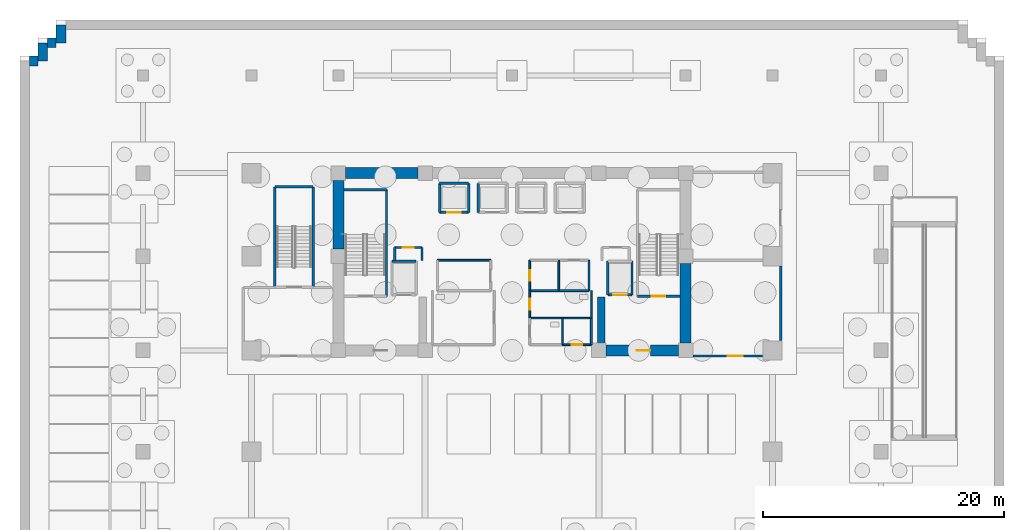
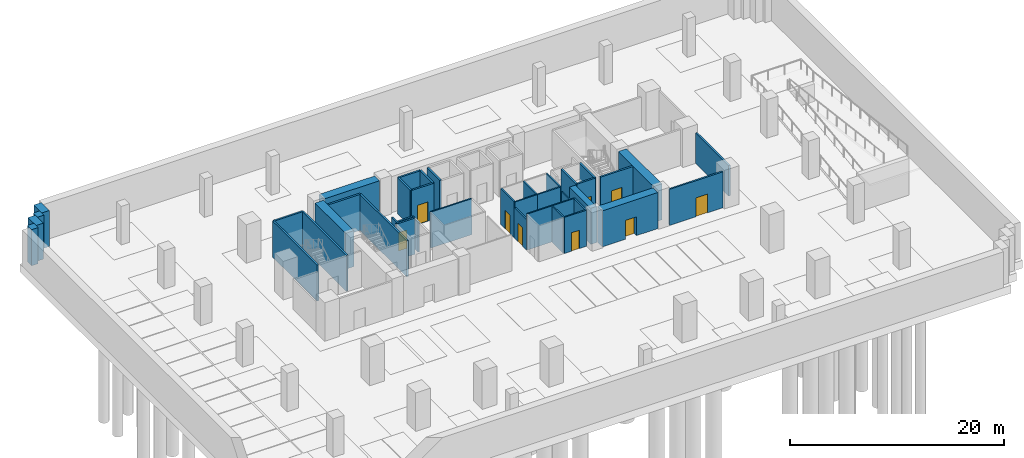
# One storey, part 4 of 13: 41 walls, 9 doors, 9 openings.
"""IFC4 building model written with IfcOpenShell, lengths in metres."""

from ifc_helpers import new_model, si_unit, direction, frame, frame_2d, origin, place, context, subcontext, project, spatial, rectangle, extrude, source, transform, mapped, material, layer, layer_set, type_object, element, fill, save


model = new_model("IFC4")

# Units and contexts
model_context = context("Model", 3, precision=1e-05, world=origin(), true_north=direction((0.0, 1.0)))
body_context = subcontext(model_context, "Body", "Model", "MODEL_VIEW")
ifc_project = project(units=[si_unit("LENGTHUNIT", "METRE"), si_unit("AREAUNIT", "SQUARE_METRE"), si_unit("VOLUMEUNIT", "CUBIC_METRE"), si_unit("PLANEANGLEUNIT", "RADIAN"), si_unit("MASSUNIT", "GRAM", prefix="KILO")], contexts=[model_context])

# Site, building, storey
site_placement = place(None, origin())
site = spatial("IfcSite", under=ifc_project, at=site_placement, CompositionType="ELEMENT")
building_placement = place(site_placement, origin())
building = spatial("IfcBuilding", under=site, at=building_placement, Name="Zarnakvel Exchange Tower", CompositionType="ELEMENT")
storey_placement = place(building_placement, frame((0.0, 0.0, -13.199951171875)))
storey = spatial("IfcBuildingStorey", under=building, at=storey_placement, Name="B03", CompositionType="ELEMENT", Elevation=-13.199951171875)

# Walls
ifc_material_1 = material(Name="Concrete C80/95", Category="concrete")
ifc_layer_1 = layer(ifc_material_1, 0.89990234375)
ifc_layer_set_1 = layer_set([ifc_layer_1], Name="Concrete C80/95")
wall_type_1 = type_object("IfcWallType", Name="CW-C1", PredefinedType="SHEAR", material=ifc_layer_set_1)
wall_1_placement = place(storey_placement, frame((-13.800048828125, 13.5, 0.0), z_axis=(0.0, 0.0, 1.0), x_axis=(1.0, 0.0, 0.0)))
element("IfcWall", 1, at=wall_1_placement, inside=storey, type_object=wall_type_1, Name="B03 Rear Core Shear Wall N1 (CW-C1)", PredefinedType="SHEAR", context=body_context, shape_type="SweptSolid", body=[
    extrude(rectangle(XDim=6.0, YDim=0.89990234375, at=frame_2d((3.0, 0.0))), origin(), (0.0, 0.0, 1.0), 4.119873046875),
])
wall_2_placement = place(storey_placement, frame((-14.39990234375, 7.199951171875, 0.0), z_axis=(0.0, 0.0, 1.0), x_axis=(0.0, 1.0, 0.0)))
element("IfcWall", 2, at=wall_2_placement, inside=storey, type_object=wall_type_1, Name="B03 Rear Core Shear Wall W2 (CW-C1)", PredefinedType="SHEAR", context=body_context, shape_type="SweptSolid", body=[
    extrude(rectangle(XDim=5.699951171875, YDim=0.89990234375, at=frame_2d((2.85009765625, 0.0))), origin(), (0.0, 0.0, 1.0), 4.119873046875),
])
wall_3_placement = place(storey_placement, frame((14.39990234375, -0.60009765625, 0.0), z_axis=(0.0, 0.0, 1.0), x_axis=(0.0, 1.0, 0.0)))
element("IfcWall", 3, at=wall_3_placement, inside=storey, type_object=wall_type_1, Name="B03 Rear Core Shear Wall E1 (CW-C1)", PredefinedType="SHEAR", context=body_context, shape_type="SweptSolid", body=[
    extrude(rectangle(XDim=6.60009765625, YDim=0.89990234375, at=frame_2d((3.300048828125, 0.0))), origin(), (0.0, 0.0, 1.0), 4.119873046875),
])

# Wall, opening, door
wall_4_placement = place(storey_placement, frame((13.800048828125, -1.199951171875, 0.0), z_axis=(0.0, 0.0, 1.0), x_axis=(-1.0, 0.0, 0.0)))
wall_4 = element("IfcWall", 4, at=wall_4_placement, inside=storey, type_object=wall_type_1, Name="B03 Rear Core Shear Wall SE (CW-C1)", PredefinedType="SHEAR", context=body_context, shape_type="SweptSolid", body=[
    extrude(rectangle(XDim=6.0, YDim=0.89990234375, at=frame_2d((3.0, 0.0))), origin(), (0.0, 0.0, 1.0), 4.119873046875),
])
opening_1_placement = place(wall_4_placement, frame((2.324951171875, 0.0, 0.0)))
opening_1 = element("IfcOpeningElement", 5, at=opening_1_placement, cuts=wall_4, Name="Opening D-B03-04", PredefinedType="OPENING", context=body_context, shape_type="SweptSolid", body=[
    extrude(rectangle(XDim=1.14990234375, YDim=2.14990234375, at=frame_2d((0.574951171875, 1.074951171875))), frame((0.0, 0.4599609375, 0.0), z_axis=(0.0, -1.0, 0.0), x_axis=(1.0, 0.0, 0.0)), (0.0, 0.0, 1.0), 0.919921875),
])
ifc_material_2 = material(Name="Painted Galvanised Steel S355", Category="steel")
door_type_1 = type_object("IfcDoorType", Name="DT-04", OperationType="NOTDEFINED", PredefinedType="DOOR", material=ifc_material_2)
shared_shape_1 = source(origin(), body_context, "Body", "SweptSolid", [
    extrude(rectangle(XDim=1.14990234375, YDim=2.14990234375, at=frame_2d((0.574951171875, 1.074951171875))), frame((0.0, 0.02490234375, 0.0), z_axis=(0.0, -1.0, 0.0), x_axis=(1.0, 0.0, 0.0)), (0.0, 0.0, 1.0), 0.050048828125),
])
door_1_placement = place(opening_1_placement, origin())
door_1 = element("IfcDoor", 6, at=door_1_placement, inside=storey, type_object=door_type_1, Name="B03 Firefighting Lobby East Door D-B03-04", OperationType="SINGLE_SWING_LEFT", OverallHeight=2.14990234375, OverallWidth=1.14990234375, PredefinedType="DOOR", context=body_context, shape_type="MappedRepresentation", body=[
    mapped(shared_shape_1, transform((0.0, 0.0, 0.0), x_axis=(1.0, 0.0, 0.0), y_axis=(0.0, 1.0, 0.0), z_axis=(0.0, 0.0, 1.0), scale=1.0)),
])
fill(opening_1, door_1)

# Walls
ifc_layer_2 = layer(ifc_material_1, 0.64990234375)
ifc_layer_set_2 = layer_set([ifc_layer_2], Name="Concrete C80/95")
wall_type_2 = type_object("IfcWallType", Name="CW-C2", PredefinedType="SHEAR", material=ifc_layer_set_2)
wall_5_placement = place(storey_placement, frame((7.39990234375, -0.75, 0.0), z_axis=(0.0, 0.0, 1.0), x_axis=(0.0, 1.0, 0.0)))
element("IfcWall", 7, at=wall_5_placement, inside=storey, type_object=wall_type_2, Name="B03 Rear Core Shear Wall IE (CW-C2)", PredefinedType="SHEAR", context=body_context, shape_type="SweptSolid", body=[
    extrude(rectangle(XDim=4.0, YDim=0.64990234375, at=frame_2d((2.0, 0.0))), origin(), (0.0, 0.0, 1.0), 4.119873046875),
])
ifc_material_3 = material(Name="Fire-Rated Gypsum Stud Partition", Category="gypsum")
ifc_layer_3 = layer(ifc_material_3, 0.14990234375)
ifc_layer_set_3 = layer_set([ifc_layer_3], Name="Fire-Rated Gypsum Stud Partition")
wall_type_3 = type_object("IfcWallType", Name="PT-01", PredefinedType="PARTITIONING", material=ifc_layer_set_3)
wall_6_placement = place(storey_placement, frame((-6.179931640625, 6.280029296875, 0.0), z_axis=(0.0, 0.0, 1.0), x_axis=(1.0, 0.0, 0.0)))
element("IfcWall", 8, at=wall_6_placement, inside=storey, type_object=wall_type_3, Name="B03 Partition Wall PWALL-B03-014 (PT-01)", PredefinedType="PARTITIONING", context=body_context, shape_type="SweptSolid", body=[
    extrude(rectangle(XDim=4.409912109375, YDim=0.14990234375, at=frame_2d((2.205078125, 0.0))), origin(), (0.0, 0.0, 1.0), 4.119873046875),
])
wall_7_placement = place(storey_placement, frame((3.8798828125, 3.760009765625, 0.0), z_axis=(0.0, 0.0, 1.0), x_axis=(-1.0, 0.0, 0.0)))
element("IfcWall", 9, at=wall_7_placement, inside=storey, type_object=wall_type_3, Name="B03 Partition Wall PWALL-B03-017 (PT-01)", PredefinedType="PARTITIONING", context=body_context, shape_type="SweptSolid", body=[
    extrude(rectangle(XDim=2.409912109375, YDim=0.14990234375, at=frame_2d((1.205078125, 0.0))), origin(), (0.0, 0.0, 1.0), 4.119873046875),
])

# Wall, opening, door
wall_8_placement = place(storey_placement, frame((1.469970703125, 3.760009765625, 0.0), z_axis=(0.0, 0.0, 1.0), x_axis=(0.0, 1.0, 0.0)))
wall_8 = element("IfcWall", 10, at=wall_8_placement, inside=storey, type_object=wall_type_3, Name="B03 Partition Wall PWALL-B03-019 (PT-01)", PredefinedType="PARTITIONING", context=body_context, shape_type="SweptSolid", body=[
    extrude(rectangle(XDim=2.52001953125, YDim=0.14990234375, at=frame_2d((1.260009765625, 0.0))), origin(), (0.0, 0.0, 1.0), 4.119873046875),
])
opening_2_placement = place(wall_8_placement, frame((0.800048828125, 0.0, 0.0)))
opening_2 = element("IfcOpeningElement", 11, at=opening_2_placement, cuts=wall_8, Name="Opening D-B03-06", PredefinedType="OPENING", context=body_context, shape_type="SweptSolid", body=[
    extrude(rectangle(XDim=0.8798828125, YDim=2.10009765625, at=frame_2d((0.43994140625, 1.050048828125))), frame((0.0, 0.0849609375, 0.0), z_axis=(0.0, -1.0, 0.0), x_axis=(1.0, 0.0, 0.0)), (0.0, 0.0, 1.0), 0.169921875),
])
door_type_2 = type_object("IfcDoorType", Name="DT-08", OperationType="NOTDEFINED", PredefinedType="DOOR", material=ifc_material_2)
shared_shape_2 = source(origin(), body_context, "Body", "SweptSolid", [
    extrude(rectangle(XDim=0.8798828125, YDim=2.10009765625, at=frame_2d((0.43994140625, 1.050048828125))), frame((0.0, 0.02490234375, 0.0), z_axis=(0.0, -1.0, 0.0), x_axis=(1.0, 0.0, 0.0)), (0.0, 0.0, 1.0), 0.050048828125),
])
door_2_placement = place(opening_2_placement, origin())
door_2 = element("IfcDoor", 12, at=door_2_placement, inside=storey, type_object=door_type_2, Name="B03 Cleaners Store Door D-B03-06", OperationType="SINGLE_SWING_LEFT", OverallHeight=2.10009765625, OverallWidth=0.8798828125, PredefinedType="DOOR", context=body_context, shape_type="MappedRepresentation", body=[
    mapped(shared_shape_2, transform((0.0, 0.0, 0.0), x_axis=(1.0, 0.0, 0.0), y_axis=(0.0, 1.0, 0.0), z_axis=(0.0, 0.0, 1.0), scale=1.0)),
])
fill(opening_2, door_2)

# Walls
wall_9_placement = place(storey_placement, frame((3.8798828125, 6.280029296875, 0.0), z_axis=(0.0, 0.0, 1.0), x_axis=(0.0, -1.0, 0.0)))
element("IfcWall", 13, at=wall_9_placement, inside=storey, type_object=wall_type_3, Name="B03 Partition Wall PWALL-B03-020 (PT-01)", PredefinedType="PARTITIONING", context=body_context, shape_type="SweptSolid", body=[
    extrude(rectangle(XDim=2.52001953125, YDim=0.14990234375, at=frame_2d((1.260009765625, 0.0))), origin(), (0.0, 0.0, 1.0), 4.119873046875),
])
wall_10_placement = place(storey_placement, frame((6.3798828125, 3.760009765625, 0.0), z_axis=(0.0, 0.0, 1.0), x_axis=(-1.0, 0.0, 0.0)))
element("IfcWall", 14, at=wall_10_placement, inside=storey, type_object=wall_type_3, Name="B03 Partition Wall PWALL-B03-021 (PT-01)", PredefinedType="PARTITIONING", context=body_context, shape_type="SweptSolid", body=[
    extrude(rectangle(XDim=2.5, YDim=0.14990234375, at=frame_2d((1.25, 0.0))), origin(), (0.0, 0.0, 1.0), 4.119873046875),
])
wall_11_placement = place(storey_placement, frame((6.3798828125, 6.280029296875, 0.0), z_axis=(0.0, 0.0, 1.0), x_axis=(0.0, -1.0, 0.0)))
element("IfcWall", 15, at=wall_11_placement, inside=storey, type_object=wall_type_3, Name="B03 Partition Wall PWALL-B03-023 (PT-01)", PredefinedType="PARTITIONING", context=body_context, shape_type="SweptSolid", body=[
    extrude(rectangle(XDim=2.52001953125, YDim=0.14990234375, at=frame_2d((1.260009765625, 0.0))), origin(), (0.0, 0.0, 1.0), 4.119873046875),
])

# Wall, opening, door
wall_12_placement = place(storey_placement, frame((6.580078125, -0.72998046875, 0.0), z_axis=(0.0, 0.0, 1.0), x_axis=(-1.0, 0.0, 0.0)))
wall_12 = element("IfcWall", 16, at=wall_12_placement, inside=storey, type_object=wall_type_3, Name="B03 Partition Wall PWALL-B03-033 (PT-01)", PredefinedType="PARTITIONING", context=body_context, shape_type="SweptSolid", body=[
    extrude(rectangle(XDim=2.400146484375, YDim=0.14990234375, at=frame_2d((1.2001953125, 0.0))), origin(), (0.0, 0.0, 1.0), 4.119873046875),
])
opening_3_placement = place(wall_12_placement, frame((0.760009765625, 0.0, 0.0)))
opening_3 = element("IfcOpeningElement", 17, at=opening_3_placement, cuts=wall_12, Name="Opening D-B03-11", PredefinedType="OPENING", context=body_context, shape_type="SweptSolid", body=[
    extrude(rectangle(XDim=0.8798828125, YDim=2.10009765625, at=frame_2d((0.43994140625, 1.050048828125))), frame((0.0, 0.0849609375, 0.0), z_axis=(0.0, -1.0, 0.0), x_axis=(1.0, 0.0, 0.0)), (0.0, 0.0, 1.0), 0.169921875),
])
door_3_placement = place(opening_3_placement, origin())
door_3 = element("IfcDoor", 18, at=door_3_placement, inside=storey, type_object=door_type_2, Name="B03 Cleaners Store Door D-B03-11", OperationType="SINGLE_SWING_RIGHT", OverallHeight=2.10009765625, OverallWidth=0.8798828125, PredefinedType="DOOR", context=body_context, shape_type="MappedRepresentation", body=[
    mapped(shared_shape_2, transform((0.0, 0.0, 0.0), x_axis=(1.0, 0.0, 0.0), y_axis=(0.0, 1.0, 0.0), z_axis=(0.0, 0.0, 1.0), scale=1.0)),
])
fill(opening_3, door_3)

# Wall
wall_13_placement = place(storey_placement, frame((6.580078125, 1.47998046875, 0.0), z_axis=(0.0, 0.0, 1.0), x_axis=(0.0, -1.0, 0.0)))
element("IfcWall", 19, at=wall_13_placement, inside=storey, type_object=wall_type_3, Name="B03 Partition Wall PWALL-B03-034 (PT-01)", PredefinedType="PARTITIONING", context=body_context, shape_type="SweptSolid", body=[
    extrude(rectangle(XDim=2.2099609375, YDim=0.14990234375, at=frame_2d((1.10498046875, 0.0))), origin(), (0.0, 0.0, 1.0), 4.119873046875),
])

# Wall, opening, door
ifc_layer_4 = layer(ifc_material_3, 0.179931640625)
ifc_layer_set_4 = layer_set([ifc_layer_4], Name="Fire-Rated Gypsum Stud Partition")
wall_type_4 = type_object("IfcWallType", Name="PT-02", PredefinedType="PARTITIONING", material=ifc_layer_set_4)
wall_14_placement = place(storey_placement, frame((-9.72998046875, 7.330078125, 0.0), z_axis=(0.0, 0.0, 1.0), x_axis=(1.0, 0.0, 0.0)))
wall_14 = element("IfcWall", 20, at=wall_14_placement, inside=storey, type_object=wall_type_4, Name="B03 Partition Wall PWALL-B03-007 (PT-02)", PredefinedType="PARTITIONING", context=body_context, shape_type="SweptSolid", body=[
    extrude(rectangle(XDim=2.260009765625, YDim=0.179931640625, at=frame_2d((1.1298828125, 0.0))), origin(), (0.0, 0.0, 1.0), 3.409912109375),
])
opening_4_placement = place(wall_14_placement, frame((0.68994140625, 0.0, 0.0)))
opening_4 = element("IfcOpeningElement", 21, at=opening_4_placement, cuts=wall_14, Name="Opening D-B03-16", PredefinedType="OPENING", context=body_context, shape_type="SweptSolid", body=[
    extrude(rectangle(XDim=0.8798828125, YDim=2.10009765625, at=frame_2d((0.43994140625, 1.050048828125))), frame((0.0, 0.099853515625, 0.0), z_axis=(0.0, -1.0, 0.0), x_axis=(1.0, 0.0, 0.0)), (0.0, 0.0, 1.0), 0.199951171875),
])
door_4_placement = place(opening_4_placement, origin())
door_4 = element("IfcDoor", 22, at=door_4_placement, inside=storey, type_object=door_type_2, Name="B03 Electrical Riser Door D-B03-16", OperationType="SINGLE_SWING_LEFT", OverallHeight=2.10009765625, OverallWidth=0.8798828125, PredefinedType="DOOR", context=body_context, shape_type="MappedRepresentation", body=[
    mapped(shared_shape_2, transform((0.0, 0.0, 0.0), x_axis=(1.0, 0.0, 0.0), y_axis=(0.0, 1.0, 0.0), z_axis=(0.0, 0.0, 1.0), scale=1.0)),
])
fill(opening_4, door_4)

# Walls
wall_15_placement = place(storey_placement, frame((-9.72998046875, 6.239990234375, 0.0), z_axis=(0.0, 0.0, 1.0), x_axis=(0.0, 1.0, 0.0)))
element("IfcWall", 23, at=wall_15_placement, inside=storey, type_object=wall_type_4, Name="B03 Partition Wall PWALL-B03-008 (PT-02)", PredefinedType="PARTITIONING", context=body_context, shape_type="SweptSolid", body=[
    extrude(rectangle(XDim=1.090087890625, YDim=0.179931640625, at=frame_2d((0.544921875, 0.0))), origin(), (0.0, 0.0, 1.0), 4.119873046875),
])
wall_16_placement = place(storey_placement, frame((-7.469970703125, 7.330078125, 0.0), z_axis=(0.0, 0.0, 1.0), x_axis=(0.0, -1.0, 0.0)))
element("IfcWall", 24, at=wall_16_placement, inside=storey, type_object=wall_type_4, Name="B03 Partition Wall PWALL-B03-009 (PT-02)", PredefinedType="PARTITIONING", context=body_context, shape_type="SweptSolid", body=[
    extrude(rectangle(XDim=1.090087890625, YDim=0.179931640625, at=frame_2d((0.544921875, 0.0))), origin(), (0.0, 0.0, 1.0), 3.409912109375),
])

# Wall, opening, door
wall_17_placement = place(storey_placement, frame((20.780029296875, -1.669921875, 0.0), z_axis=(0.0, 0.0, 1.0), x_axis=(-1.0, 0.0, 0.0)))
wall_17 = element("IfcWall", 25, at=wall_17_placement, inside=storey, type_object=wall_type_4, Name="B03 Partition Wall PWALL-B03-043 (PT-02)", PredefinedType="PARTITIONING", context=body_context, shape_type="SweptSolid", body=[
    extrude(rectangle(XDim=5.760009765625, YDim=0.179931640625, at=frame_2d((2.8798828125, 0.0))), origin(), (0.0, 0.0, 1.0), 4.119873046875),
])
opening_5_placement = place(wall_17_placement, frame((1.655029296875, 0.0, 0.0)))
opening_5 = element("IfcOpeningElement", 26, at=opening_5_placement, cuts=wall_17, Name="Opening D-B03-14", PredefinedType="OPENING", context=body_context, shape_type="SweptSolid", body=[
    extrude(rectangle(XDim=1.25, YDim=2.14990234375, at=frame_2d((0.625, 1.074951171875))), frame((0.0, 0.099853515625, 0.0), z_axis=(0.0, -1.0, 0.0), x_axis=(1.0, 0.0, 0.0)), (0.0, 0.0, 1.0), 0.199951171875),
])
door_type_3 = type_object("IfcDoorType", Name="DT-06", OperationType="NOTDEFINED", PredefinedType="DOOR", material=ifc_material_2)
shared_shape_3 = source(origin(), body_context, "Body", "SweptSolid", [
    extrude(rectangle(XDim=1.25, YDim=2.14990234375, at=frame_2d((0.625, 1.074951171875))), frame((0.0, 0.02490234375, 0.0), z_axis=(0.0, -1.0, 0.0), x_axis=(1.0, 0.0, 0.0)), (0.0, 0.0, 1.0), 0.050048828125),
])
door_5_placement = place(opening_5_placement, origin())
door_5 = element("IfcDoor", 27, at=door_5_placement, inside=storey, type_object=door_type_3, Name="B03 Fire and Domestic Water Pump Room Door D-B03-14", OperationType="SINGLE_SWING_LEFT", OverallHeight=2.14990234375, OverallWidth=1.25, PredefinedType="DOOR", context=body_context, shape_type="MappedRepresentation", body=[
    mapped(shared_shape_3, transform((0.0, 0.0, 0.0), x_axis=(1.0, 0.0, 0.0), y_axis=(0.0, 1.0, 0.0), z_axis=(0.0, 0.0, 1.0), scale=1.0)),
])
fill(opening_5, door_5)

# Walls
wall_18_placement = place(storey_placement, frame((22.280029296875, 5.780029296875, 0.0), z_axis=(0.0, 0.0, 1.0), x_axis=(0.0, -1.0, 0.0)))
element("IfcWall", 28, at=wall_18_placement, inside=storey, type_object=wall_type_4, Name="B03 Partition Wall PWALL-B03-045 (PT-02)", PredefinedType="PARTITIONING", context=body_context, shape_type="SweptSolid", body=[
    extrude(rectangle(XDim=6.159912109375, YDim=0.179931640625, at=frame_2d((3.080078125, 0.0))), origin(), (0.0, 0.0, 1.0), 3.49267578125),
])
ifc_material_4 = material(Name="Moisture-Resistant Tile-Faced Partition", Category="gypsum")
ifc_layer_5 = layer(ifc_material_4, 0.135009765625)
ifc_layer_set_5 = layer_set([ifc_layer_5], Name="Moisture-Resistant Tile-Faced Partition")
wall_type_5 = type_object("IfcWallType", Name="PT-03", PredefinedType="PARTITIONING", material=ifc_layer_set_5)
wall_19_placement = place(storey_placement, frame((6.580078125, 1.47998046875, 0.0), z_axis=(0.0, 0.0, 1.0), x_axis=(-1.0, 0.0, 0.0)))
element("IfcWall", 29, at=wall_19_placement, inside=storey, type_object=wall_type_5, Name="B03 Partition Wall PWALL-B03-027 (PT-03)", PredefinedType="PARTITIONING", context=body_context, shape_type="SweptSolid", body=[
    extrude(rectangle(XDim=5.110107421875, YDim=0.135009765625, at=frame_2d((2.55517578125, 0.0))), origin(), (0.0, 0.0, 1.0), 4.119873046875),
])

# Wall, opening, door
wall_20_placement = place(storey_placement, frame((1.469970703125, 1.47998046875, 0.0), z_axis=(0.0, 0.0, 1.0), x_axis=(0.0, 1.0, 0.0)))
wall_20 = element("IfcWall", 30, at=wall_20_placement, inside=storey, type_object=wall_type_5, Name="B03 Partition Wall PWALL-B03-028 (PT-03)", PredefinedType="PARTITIONING", context=body_context, shape_type="SweptSolid", body=[
    extrude(rectangle(XDim=2.280029296875, YDim=0.135009765625, at=frame_2d((1.14013671875, 0.0))), origin(), (0.0, 0.0, 1.0), 3.49267578125),
])
opening_6_placement = place(wall_20_placement, frame((0.679931640625, 0.0, 0.0)))
opening_6 = element("IfcOpeningElement", 31, at=opening_6_placement, cuts=wall_20, Name="Opening D-B03-09", PredefinedType="OPENING", context=body_context, shape_type="SweptSolid", body=[
    extrude(rectangle(XDim=0.919921875, YDim=2.10009765625, at=frame_2d((0.4599609375, 1.050048828125))), frame((0.0, 0.077392578125, 0.0), z_axis=(0.0, -1.0, 0.0), x_axis=(1.0, 0.0, 0.0)), (0.0, 0.0, 1.0), 0.155029296875),
])
ifc_material_5 = material(Name="Moisture-Resistant Laminate Timber", Category="wood")
door_type_4 = type_object("IfcDoorType", Name="DT-07", OperationType="NOTDEFINED", PredefinedType="DOOR", material=ifc_material_5)
shared_shape_4 = source(origin(), body_context, "Body", "SweptSolid", [
    extrude(rectangle(XDim=0.919921875, YDim=2.10009765625, at=frame_2d((0.4599609375, 1.050048828125))), frame((0.0, 0.02490234375, 0.0), z_axis=(0.0, -1.0, 0.0), x_axis=(1.0, 0.0, 0.0)), (0.0, 0.0, 1.0), 0.050048828125),
])
door_6_placement = place(opening_6_placement, origin())
door_6 = element("IfcDoor", 32, at=door_6_placement, inside=storey, type_object=door_type_4, Name="B03 Female Toilet Door D-B03-09", OperationType="SINGLE_SWING_RIGHT", OverallHeight=2.10009765625, OverallWidth=0.919921875, PredefinedType="DOOR", context=body_context, shape_type="MappedRepresentation", body=[
    mapped(shared_shape_4, transform((0.0, 0.0, 0.0), x_axis=(1.0, 0.0, 0.0), y_axis=(0.0, 1.0, 0.0), z_axis=(0.0, 0.0, 1.0), scale=1.0)),
])
fill(opening_6, door_6)

# Walls
wall_21_placement = place(storey_placement, frame((6.580078125, 3.760009765625, 0.0), z_axis=(0.0, 0.0, 1.0), x_axis=(0.0, -1.0, 0.0)))
element("IfcWall", 33, at=wall_21_placement, inside=storey, type_object=wall_type_5, Name="B03 Partition Wall PWALL-B03-029 (PT-03)", PredefinedType="PARTITIONING", context=body_context, shape_type="SweptSolid", body=[
    extrude(rectangle(XDim=2.280029296875, YDim=0.135009765625, at=frame_2d((1.14013671875, 0.0))), origin(), (0.0, 0.0, 1.0), 3.49267578125),
])
wall_22_placement = place(storey_placement, frame((4.179931640625, 1.47998046875, 0.0), z_axis=(0.0, 0.0, 1.0), x_axis=(0.0, -1.0, 0.0)))
element("IfcWall", 34, at=wall_22_placement, inside=storey, type_object=wall_type_5, Name="B03 Partition Wall PWALL-B03-032 (PT-03)", PredefinedType="PARTITIONING", context=body_context, shape_type="SweptSolid", body=[
    extrude(rectangle(XDim=2.2099609375, YDim=0.135009765625, at=frame_2d((1.10498046875, 0.0))), origin(), (0.0, 0.0, 1.0), 4.119873046875),
])
ifc_material_6 = material(Name="Concrete C50/60", Category="concrete")
ifc_layer_6 = layer(ifc_material_6, 0.800048828125)
ifc_layer_set_6 = layer_set([ifc_layer_6], Name="Concrete C50/60")
wall_type_6 = type_object("IfcWallType", Name="RW-01", PredefinedType="USERDEFINED", material=ifc_layer_set_6)
wall_23_placement = place(storey_placement, frame((-40.0, 22.800048828125, 0.0), z_axis=(0.0, 0.0, 1.0), x_axis=(1.0, 0.0, 0.0)))
element("IfcWall", 35, at=wall_23_placement, inside=storey, type_object=wall_type_6, Name="B03 Perimeter Retaining Wall RW-01 #2", ObjectType="RETAININGWALL", PredefinedType="USERDEFINED", context=body_context, shape_type="SweptSolid", body=[
    extrude(rectangle(XDim=0.699951171875, YDim=0.800048828125, at=frame_2d((0.35009765625, 0.0))), origin(), (0.0, 0.0, 1.0), 4.119873046875),
])
wall_24_placement = place(storey_placement, frame((-38.89990234375, 22.800048828125, 0.0), z_axis=(0.0, 0.0, 1.0), x_axis=(0.0, 1.0, 0.0)))
element("IfcWall", 36, at=wall_24_placement, inside=storey, type_object=wall_type_6, Name="B03 Perimeter Retaining Wall RW-01 #3", ObjectType="RETAININGWALL", PredefinedType="USERDEFINED", context=body_context, shape_type="SweptSolid", body=[
    extrude(rectangle(XDim=1.5, YDim=0.800048828125, at=frame_2d((0.75, 0.0))), origin(), (0.0, 0.0, 1.0), 4.119873046875),
])
wall_25_placement = place(storey_placement, frame((-38.5, 24.300048828125, 0.0), z_axis=(0.0, 0.0, 1.0), x_axis=(1.0, 0.0, 0.0)))
element("IfcWall", 37, at=wall_25_placement, inside=storey, type_object=wall_type_6, Name="B03 Perimeter Retaining Wall RW-01 #4", ObjectType="RETAININGWALL", PredefinedType="USERDEFINED", context=body_context, shape_type="SweptSolid", body=[
    extrude(rectangle(XDim=0.699951171875, YDim=0.800048828125, at=frame_2d((0.35009765625, 0.0))), origin(), (0.0, 0.0, 1.0), 4.119873046875),
])
wall_26_placement = place(storey_placement, frame((-37.39990234375, 24.300048828125, 0.0), z_axis=(0.0, 0.0, 1.0), x_axis=(0.0, 1.0, 0.0)))
element("IfcWall", 38, at=wall_26_placement, inside=storey, type_object=wall_type_6, Name="B03 Perimeter Retaining Wall RW-01 #5", ObjectType="RETAININGWALL", PredefinedType="USERDEFINED", context=body_context, shape_type="SweptSolid", body=[
    extrude(rectangle(XDim=1.5, YDim=0.800048828125, at=frame_2d((0.75, 0.0))), origin(), (0.0, 0.0, 1.0), 4.119873046875),
])
ifc_material_7 = material(Name="Concrete C40/50", Category="concrete")
ifc_layer_7 = layer(ifc_material_7, 0.199951171875)
ifc_layer_set_7 = layer_set([ifc_layer_7], Name="Concrete C40/50")
wall_type_7 = type_object("IfcWallType", Name="SW-01", PredefinedType="SOLIDWALL", material=ifc_layer_set_7)
wall_27_placement = place(storey_placement, frame((-9.949951171875, 6.199951171875, 0.0), z_axis=(0.0, 0.0, 1.0), x_axis=(1.0, 0.0, 0.0)))
element("IfcWall", 39, at=wall_27_placement, inside=storey, type_object=wall_type_7, Name="B03 FL-01 Hoistway Wall North", PredefinedType="SOLIDWALL", context=body_context, shape_type="SweptSolid", body=[
    extrude(rectangle(XDim=2.0, YDim=0.199951171875, at=frame_2d((1.0, 0.0))), origin(), (0.0, 0.0, 1.0), 4.119873046875),
])

# Wall, opening, door
wall_28_placement = place(storey_placement, frame((9.949951171875, 3.39990234375, 0.0), z_axis=(0.0, 0.0, 1.0), x_axis=(-1.0, 0.0, 0.0)))
wall_28 = element("IfcWall", 40, at=wall_28_placement, inside=storey, type_object=wall_type_7, Name="B03 FL-02 Hoistway Wall South", PredefinedType="SOLIDWALL", context=body_context, shape_type="SweptSolid", body=[
    extrude(rectangle(XDim=2.0, YDim=0.199951171875, at=frame_2d((1.0, 0.0))), origin(), (0.0, 0.0, 1.0), 4.119873046875),
])
opening_7_placement = place(wall_28_placement, frame((0.449951171875, 0.0, 0.0)))
opening_7 = element("IfcOpeningElement", 41, at=opening_7_placement, cuts=wall_28, Name="Opening LD-FL-02-B03", PredefinedType="OPENING", context=body_context, shape_type="SweptSolid", body=[
    extrude(rectangle(XDim=1.10009765625, YDim=2.199951171875, at=frame_2d((0.550048828125, 1.10009765625))), frame((0.0, 0.10986328125, 0.0), z_axis=(0.0, -1.0, 0.0), x_axis=(1.0, 0.0, 0.0)), (0.0, 0.0, 1.0), 0.219970703125),
])
ifc_material_8 = material(Name="Brushed Stainless Steel", Category="steel")
door_type_5 = type_object("IfcDoorType", Name="LDT-01", OperationType="NOTDEFINED", PredefinedType="DOOR", material=ifc_material_8)
shared_shape_5 = source(origin(), body_context, "Body", "SweptSolid", [
    extrude(rectangle(XDim=1.10009765625, YDim=2.199951171875, at=frame_2d((0.550048828125, 1.10009765625))), frame((0.0, 0.02490234375, 0.0), z_axis=(0.0, -1.0, 0.0), x_axis=(1.0, 0.0, 0.0)), (0.0, 0.0, 1.0), 0.050048828125),
])
door_7_placement = place(opening_7_placement, origin())
door_7 = element("IfcDoor", 42, at=door_7_placement, inside=storey, type_object=door_type_5, Name="B03 FL-02 Lift Landing Door LD-FL-02-B03", OperationType="DOUBLE_DOOR_SLIDING", OverallHeight=2.199951171875, OverallWidth=1.10009765625, PredefinedType="DOOR", context=body_context, shape_type="MappedRepresentation", body=[
    mapped(shared_shape_5, transform((0.0, 0.0, 0.0), x_axis=(1.0, 0.0, 0.0), y_axis=(0.0, 1.0, 0.0), z_axis=(0.0, 0.0, 1.0), scale=1.0)),
])
fill(opening_7, door_7)

# Walls
for number, where, z_axis, x_axis, name in (
    (43, (7.949951171875, 3.39990234375, 0.0), (0.0, 0.0, 1.0), (0.0, 1.0, 0.0), "B03 FL-02 Hoistway Wall West"),
    (44, (9.949951171875, 6.199951171875, 0.0), (0.0, 0.0, 1.0), (0.0, -1.0, 0.0), "B03 FL-02 Hoistway Wall East"),
):
    element("IfcWall", number, at=place(storey_placement, frame(where, z_axis=z_axis, x_axis=x_axis)), inside=storey, type_object=wall_type_7, Name=name, PredefinedType="SOLIDWALL", context=body_context, shape_type="SweptSolid", body=[
        extrude(rectangle(XDim=2.800048828125, YDim=0.199951171875, at=frame_2d((1.39990234375, 0.0))), origin(), (0.0, 0.0, 1.0), 4.119873046875),
    ])

# Wall, opening, door
wall_29_placement = place(storey_placement, frame((-3.60009765625, 10.25, 0.0), z_axis=(0.0, 0.0, 1.0), x_axis=(-1.0, 0.0, 0.0)))
wall_29 = element("IfcWall", 45, at=wall_29_placement, inside=storey, type_object=wall_type_7, Name="B03 PL-01 Hoistway Wall South", PredefinedType="SOLIDWALL", context=body_context, shape_type="SweptSolid", body=[
    extrude(rectangle(XDim=2.39990234375, YDim=0.199951171875, at=frame_2d((1.199951171875, 0.0))), origin(), (0.0, 0.0, 1.0), 4.119873046875),
])
opening_8_placement = place(wall_29_placement, frame((0.64990234375, 0.0, 0.0)))
opening_8 = element("IfcOpeningElement", 46, at=opening_8_placement, cuts=wall_29, Name="Opening LD-PL-01-B03", PredefinedType="OPENING", context=body_context, shape_type="SweptSolid", body=[
    extrude(rectangle(XDim=1.10009765625, YDim=2.199951171875, at=frame_2d((0.550048828125, 1.10009765625))), frame((0.0, 0.10986328125, 0.0), z_axis=(0.0, -1.0, 0.0), x_axis=(1.0, 0.0, 0.0)), (0.0, 0.0, 1.0), 0.219970703125),
])
ifc_material_9 = material(Name="Architectural Bronze Anodised Aluminium", Category="aluminium")
door_type_6 = type_object("IfcDoorType", Name="LDT-02", OperationType="NOTDEFINED", PredefinedType="DOOR", material=ifc_material_9)
door_8_placement = place(opening_8_placement, origin())
door_8 = element("IfcDoor", 47, at=door_8_placement, inside=storey, type_object=door_type_6, Name="B03 PL-01 Lift Landing Door LD-PL-01-B03", OperationType="DOUBLE_DOOR_SLIDING", OverallHeight=2.199951171875, OverallWidth=1.10009765625, PredefinedType="DOOR", context=body_context, shape_type="MappedRepresentation", body=[
    mapped(shared_shape_5, transform((0.0, 0.0, 0.0), x_axis=(1.0, 0.0, 0.0), y_axis=(0.0, 1.0, 0.0), z_axis=(0.0, 0.0, 1.0), scale=1.0)),
])
fill(opening_8, door_8)

# Walls
for number, where, z_axis, x_axis, name in (
    (48, (-6.0, 12.64990234375, 0.0), (0.0, 0.0, 1.0), (1.0, 0.0, 0.0), "B03 PL-01 Hoistway Wall North"),
    (49, (-6.0, 10.25, 0.0), (0.0, 0.0, 1.0), (0.0, 1.0, 0.0), "B03 PL-01 Hoistway Wall West"),
    (50, (-3.60009765625, 12.64990234375, 0.0), (0.0, 0.0, 1.0), (0.0, -1.0, 0.0), "B03 PL-01 Hoistway Wall East"),
    (51, (-2.800048828125, 10.25, 0.0), (0.0, 0.0, 1.0), (0.0, 1.0, 0.0), "B03 PL-02 Hoistway Wall West"),
):
    element("IfcWall", number, at=place(storey_placement, frame(where, z_axis=z_axis, x_axis=x_axis)), inside=storey, type_object=wall_type_7, Name=name, PredefinedType="SOLIDWALL", context=body_context, shape_type="SweptSolid", body=[
        extrude(rectangle(XDim=2.39990234375, YDim=0.199951171875, at=frame_2d((1.199951171875, 0.0))), origin(), (0.0, 0.0, 1.0), 4.119873046875),
    ])
ifc_layer_8 = layer(ifc_material_7, 0.199951171875)
ifc_layer_set_8 = layer_set([ifc_layer_8], Name="Concrete C40/50")
wall_type_8 = type_object("IfcWallType", Name="SW-02", PredefinedType="SOLIDWALL", material=ifc_layer_set_8)
wall_30_placement = place(storey_placement, frame((-13.929931640625, 12.1298828125, 0.0), z_axis=(0.0, 0.0, 1.0), x_axis=(1.0, 0.0, 0.0)))
element("IfcWall", 52, at=wall_30_placement, inside=storey, type_object=wall_type_8, Name="B03 Stairwell Core Wall PWALL-B03-002 (SW-02)", PredefinedType="SOLIDWALL", context=body_context, shape_type="SweptSolid", body=[
    extrude(rectangle(XDim=3.52001953125, YDim=0.199951171875, at=frame_2d((1.760009765625, 0.0))), origin(), (0.0, 0.0, 1.0), 4.119873046875),
])
wall_31_placement = place(storey_placement, frame((-10.409912109375, 12.1298828125, 0.0), z_axis=(0.0, 0.0, 1.0), x_axis=(0.0, -1.0, 0.0)))
element("IfcWall", 53, at=wall_31_placement, inside=storey, type_object=wall_type_8, Name="B03 Stairwell Core Wall PWALL-B03-003 (SW-02)", PredefinedType="SOLIDWALL", context=body_context, shape_type="SweptSolid", body=[
    extrude(rectangle(XDim=8.83984375, YDim=0.199951171875, at=frame_2d((4.419921875, 0.0))), origin(), (0.0, 0.0, 1.0), 4.119873046875),
])

# Wall, opening, door
wall_32_placement = place(storey_placement, frame((13.929931640625, 3.2900390625, 0.0), z_axis=(0.0, 0.0, 1.0), x_axis=(-1.0, 0.0, 0.0)))
wall_32 = element("IfcWall", 54, at=wall_32_placement, inside=storey, type_object=wall_type_8, Name="B03 Stairwell Core Wall PWALL-B03-004 (SW-02)", PredefinedType="SOLIDWALL", context=body_context, shape_type="SweptSolid", body=[
    extrude(rectangle(XDim=3.52001953125, YDim=0.199951171875, at=frame_2d((1.760009765625, 0.0))), origin(), (0.0, 0.0, 1.0), 4.119873046875),
])
opening_9_placement = place(wall_32_placement, frame((1.205078125, 0.0, 0.0)))
opening_9 = element("IfcOpeningElement", 55, at=opening_9_placement, cuts=wall_32, Name="Opening D-B03-02", PredefinedType="OPENING", context=body_context, shape_type="SweptSolid", body=[
    extrude(rectangle(XDim=1.14990234375, YDim=2.14990234375, at=frame_2d((0.574951171875, 1.074951171875))), frame((0.0, 0.10986328125, 0.0), z_axis=(0.0, -1.0, 0.0), x_axis=(1.0, 0.0, 0.0)), (0.0, 0.0, 1.0), 0.219970703125),
])
door_9_placement = place(opening_9_placement, origin())
door_9 = element("IfcDoor", 56, at=door_9_placement, inside=storey, type_object=door_type_1, Name="B03 Stairwell ST-02 Door D-B03-02", OperationType="SINGLE_SWING_LEFT", OverallHeight=2.14990234375, OverallWidth=1.14990234375, PredefinedType="DOOR", context=body_context, shape_type="MappedRepresentation", body=[
    mapped(shared_shape_1, transform((0.0, 0.0, 0.0), x_axis=(1.0, 0.0, 0.0), y_axis=(0.0, 1.0, 0.0), z_axis=(0.0, 0.0, 1.0), scale=1.0)),
])
fill(opening_9, door_9)

# Walls
wall_33_placement = place(storey_placement, frame((-19.659912109375, 12.360107421875, 0.0), z_axis=(0.0, 0.0, 1.0), x_axis=(1.0, 0.0, 0.0)))
element("IfcWall", 57, at=wall_33_placement, inside=storey, type_object=wall_type_8, Name="B03 Stairwell Core Wall PWALL-B03-036 (SW-02)", PredefinedType="SOLIDWALL", context=body_context, shape_type="SweptSolid", body=[
    extrude(rectangle(XDim=3.169921875, YDim=0.199951171875, at=frame_2d((1.5849609375, 0.0))), origin(), (0.0, 0.0, 1.0), 4.119873046875),
])
for number, where, z_axis, x_axis, name in (
    (58, (-19.659912109375, 4.0400390625, 0.0), (0.0, 0.0, 1.0), (0.0, 1.0, 0.0), "B03 Stairwell Core Wall PWALL-B03-037 (SW-02)"),
    (59, (-16.489990234375, 12.360107421875, 0.0), (0.0, 0.0, 1.0), (0.0, -1.0, 0.0), "B03 Stairwell Core Wall PWALL-B03-038 (SW-02)"),
):
    element("IfcWall", number, at=place(storey_placement, frame(where, z_axis=z_axis, x_axis=x_axis)), inside=storey, type_object=wall_type_8, Name=name, PredefinedType="SOLIDWALL", context=body_context, shape_type="SweptSolid", body=[
        extrude(rectangle(XDim=8.320068359375, YDim=0.199951171875, at=frame_2d((4.16015625, 0.0))), origin(), (0.0, 0.0, 1.0), 4.119873046875),
    ])

save(model, "model.ifc")
